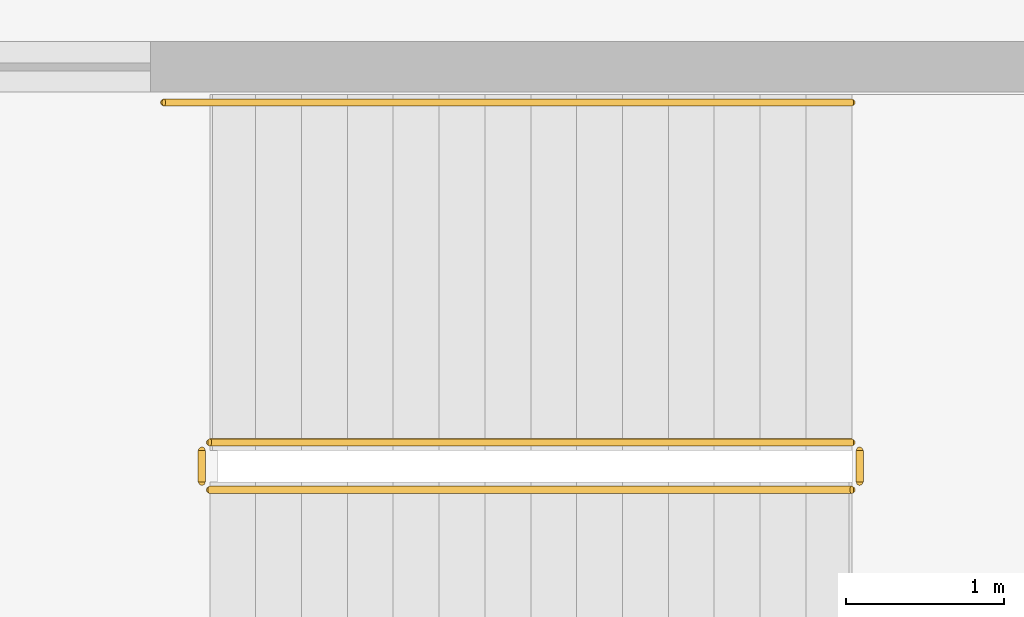
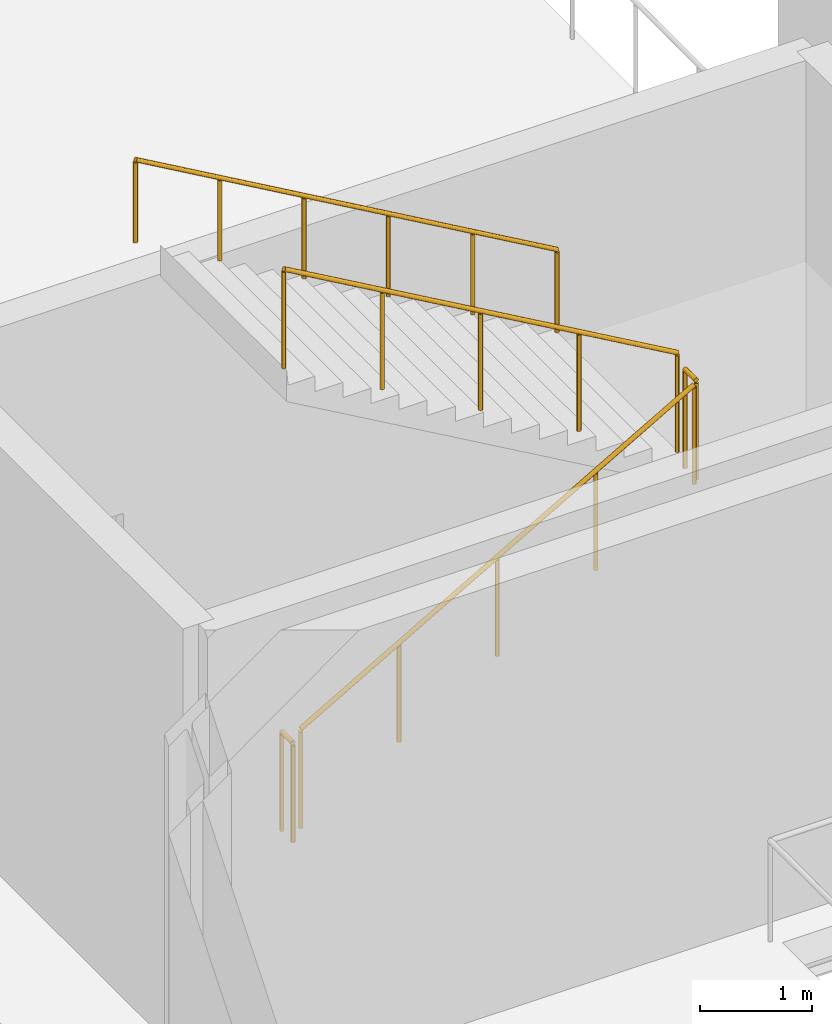
# One storey, part 54 of 60: 5 railings.
"""IFC4 building model written with IfcOpenShell, lengths in metres."""

from ifc_helpers import new_model, si_unit, direction, frame, origin, origin_2d, place, context, subcontext, project, spatial, circle, extrude, material, type_object, element, save


model = new_model("IFC4")

# Units and contexts
model_context = context("Model", 3, precision=1e-05, world=origin(), true_north=direction((0.0, 1.0)))
body_context = subcontext(model_context, "Body", "Model", "MODEL_VIEW")
ifc_project = project(units=[si_unit("LENGTHUNIT", "METRE"), si_unit("AREAUNIT", "SQUARE_METRE"), si_unit("VOLUMEUNIT", "CUBIC_METRE"), si_unit("PLANEANGLEUNIT", "RADIAN"), si_unit("MASSUNIT", "GRAM", prefix="KILO")], contexts=[model_context])

# Site, building, storey
site_placement = place(None, origin())
site = spatial("IfcSite", under=ifc_project, at=site_placement, CompositionType="ELEMENT")
building_placement = place(site_placement, origin())
building = spatial("IfcBuilding", under=site, at=building_placement, Name="Trimount Lyric Opera House", CompositionType="ELEMENT")
storey_placement = place(building_placement, frame((0.0, 0.0, 15.0)))
storey = spatial("IfcBuildingStorey", under=building, at=storey_placement, Name="L03", CompositionType="ELEMENT", Elevation=15.0)

# Railings
ifc_material_1 = material(Name="Brushed Stainless Steel 316", Category="steel")
railing_type_1 = type_object("IfcRailingType", Name="RL-GRD110", PredefinedType="GUARDRAIL", material=ifc_material_1)
railing_1_placement = place(storey_placement, frame((67.050048828125, 87.0, 0.166748046875)))
element("IfcRailing", 1, at=railing_1_placement, inside=storey, type_object=railing_type_1, Name="L03 ST-03 stair guard 1", PredefinedType="GUARDRAIL", context=body_context, shape_type="SweptSolid", body=[
    extrude(circle(Radius=0.02392578125, at=origin_2d()), frame((0.0, 0.0, 1.076171875), z_axis=(0.867024558463, 0.0, 0.498265406207), x_axis=(0.0, 1.0, 0.0)), (0.0, 0.0, 1.0), 4.682861328125),
    extrude(circle(Radius=0.02099609375, at=origin_2d()), origin(), (0.0, 0.0, 1.0), 1.052001953125),
    extrude(circle(Radius=0.02099609375, at=origin_2d()), frame((1.01513671875, 0.0, 0.583251953125)), (0.0, 0.0, 1.0), 1.052001953125),
    extrude(circle(Radius=0.02099609375, at=origin_2d()), frame((2.030029296875, 0.0, 1.16650390625)), (0.0, 0.0, 1.0), 1.052001953125),
    extrude(circle(Radius=0.02099609375, at=origin_2d()), frame((3.044921875, 0.0, 1.75)), (0.0, 0.0, 1.0), 1.052001953125),
    extrude(circle(Radius=0.02099609375, at=origin_2d()), frame((4.06005859375, 0.0, 2.333251953125)), (0.0, 0.0, 1.0), 1.052001953125),
])
railing_2_placement = place(storey_placement, frame((71.159912109375, 87.050048828125, 2.5)))
element("IfcRailing", 2, at=railing_2_placement, inside=storey, type_object=railing_type_1, Name="L03 ST-03 stair guard 2", PredefinedType="GUARDRAIL", context=body_context, shape_type="SweptSolid", body=[
    extrude(circle(Radius=0.02392578125, at=origin_2d()), frame((0.0, 0.0, 1.076171875), z_axis=(0.0, 1.0, 0.0), x_axis=(-1.0, 0.0, 0.0)), (0.0, 0.0, 1.0), 0.199951171875),
    extrude(circle(Radius=0.02099609375, at=origin_2d()), origin(), (0.0, 0.0, 1.0), 1.052001953125),
    extrude(circle(Radius=0.02099609375, at=origin_2d()), frame((0.0, 0.199951171875, 0.0)), (0.0, 0.0, 1.0), 1.052001953125),
])
railing_3_placement = place(storey_placement, frame((71.110107421875, 87.300048828125, 2.666748046875)))
element("IfcRailing", 3, at=railing_3_placement, inside=storey, type_object=railing_type_1, Name="L03 ST-03 stair guard 3", PredefinedType="GUARDRAIL", context=body_context, shape_type="SweptSolid", body=[
    extrude(circle(Radius=0.02392578125, at=origin_2d()), frame((0.0, 0.0, 1.076171875), z_axis=(-0.867024558463, 0.0, 0.498265406207), x_axis=(0.0, -1.0, 0.0)), (0.0, 0.0, 1.0), 4.682861328125),
    extrude(circle(Radius=0.02099609375, at=origin_2d()), origin(), (0.0, 0.0, 1.0), 1.052001953125),
    extrude(circle(Radius=0.02099609375, at=origin_2d()), frame((-1.01513671875, 0.0, 0.583251953125)), (0.0, 0.0, 1.0), 1.052001953125),
    extrude(circle(Radius=0.02099609375, at=origin_2d()), frame((-2.030029296875, 0.0, 1.16650390625)), (0.0, 0.0, 1.0), 1.052001953125),
    extrude(circle(Radius=0.02099609375, at=origin_2d()), frame((-3.044921875, 0.0, 1.75)), (0.0, 0.0, 1.0), 1.052001953125),
    extrude(circle(Radius=0.02099609375, at=origin_2d()), frame((-4.06005859375, 0.0, 2.333251953125)), (0.0, 0.0, 1.0), 1.052001953125),
])
railing_4_placement = place(storey_placement, frame((67.0, 87.050048828125, 0.0)))
element("IfcRailing", 4, at=railing_4_placement, inside=storey, type_object=railing_type_1, Name="L03 ST-03 stair guard 4", PredefinedType="GUARDRAIL", context=body_context, shape_type="SweptSolid", body=[
    extrude(circle(Radius=0.02392578125, at=origin_2d()), frame((0.0, 0.0, 1.076171875), z_axis=(0.0, 1.0, 0.0), x_axis=(-1.0, 0.0, 0.0)), (0.0, 0.0, 1.0), 0.199951171875),
    extrude(circle(Radius=0.02099609375, at=origin_2d()), origin(), (0.0, 0.0, 1.0), 1.052001953125),
    extrude(circle(Radius=0.02099609375, at=origin_2d()), frame((0.0, 0.199951171875, 0.0)), (0.0, 0.0, 1.0), 1.052001953125),
])
ifc_material_2 = material(Name="Brushed Stainless Steel 316", Category="steel")
railing_type_2 = type_object("IfcRailingType", Name="RL-HND092", PredefinedType="HANDRAIL", material=ifc_material_2)
railing_5_placement = place(storey_placement, frame((71.110107421875, 89.449951171875, 2.666748046875)))
element("IfcRailing", 5, at=railing_5_placement, inside=storey, type_object=railing_type_2, Name="L03 ST-03 stair handrail 2", PredefinedType="HANDRAIL", context=body_context, shape_type="SweptSolid", body=[
    extrude(circle(Radius=0.0224609375, at=origin_2d()), frame((0.0, 0.0, 0.8974609375), z_axis=(-0.866766478692, 0.0, 0.498714218181), x_axis=(0.0, -1.0, 0.0)), (0.0, 0.0, 1.0), 5.018798828125),
    extrude(circle(Radius=0.02099609375, at=origin_2d()), origin(), (0.0, 0.0, 1.0), 0.875),
    extrude(circle(Radius=0.02099609375, at=origin_2d()), frame((-0.8701171875, 0.0, 0.50048828125)), (0.0, 0.0, 1.0), 0.875),
    extrude(circle(Radius=0.02099609375, at=origin_2d()), frame((-1.739990234375, 0.0, 1.001220703125)), (0.0, 0.0, 1.0), 0.875),
    extrude(circle(Radius=0.02099609375, at=origin_2d()), frame((-2.610107421875, 0.0, 1.501708984375)), (0.0, 0.0, 1.0), 0.875),
    extrude(circle(Radius=0.02099609375, at=origin_2d()), frame((-3.47998046875, 0.0, 2.00244140625)), (0.0, 0.0, 1.0), 0.875),
    extrude(circle(Radius=0.02099609375, at=origin_2d()), frame((-4.35009765625, 0.0, 2.5029296875)), (0.0, 0.0, 1.0), 0.875),
])

save(model, "model.ifc")
